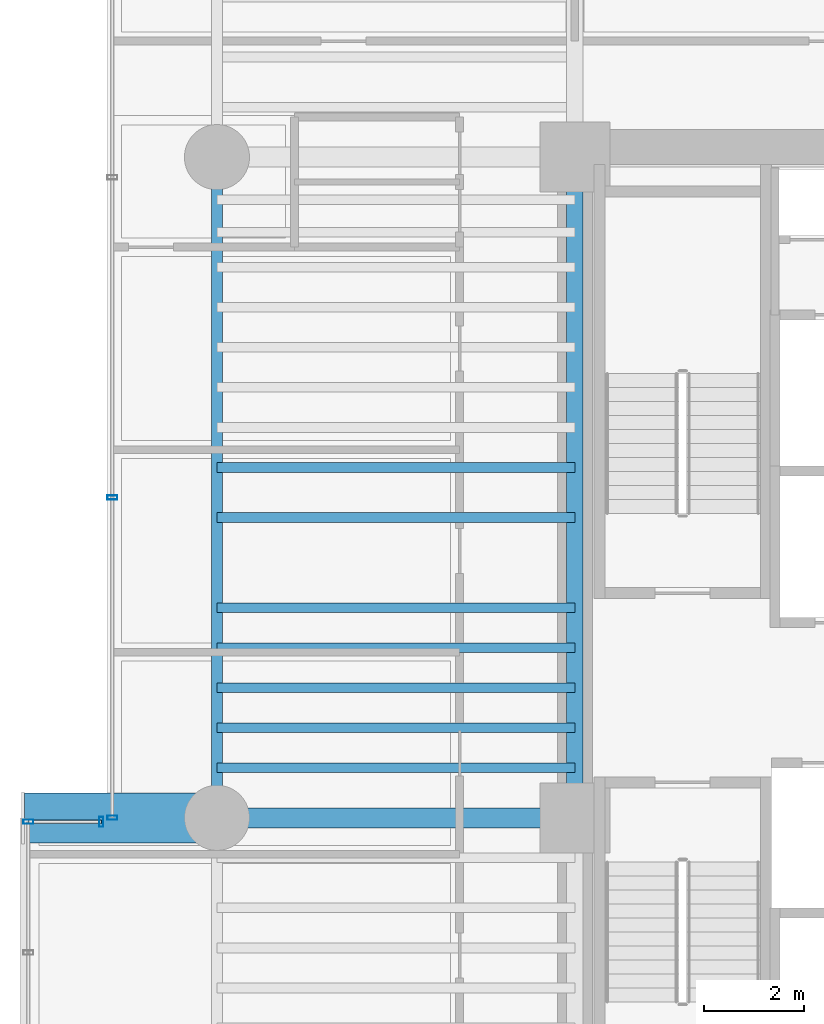
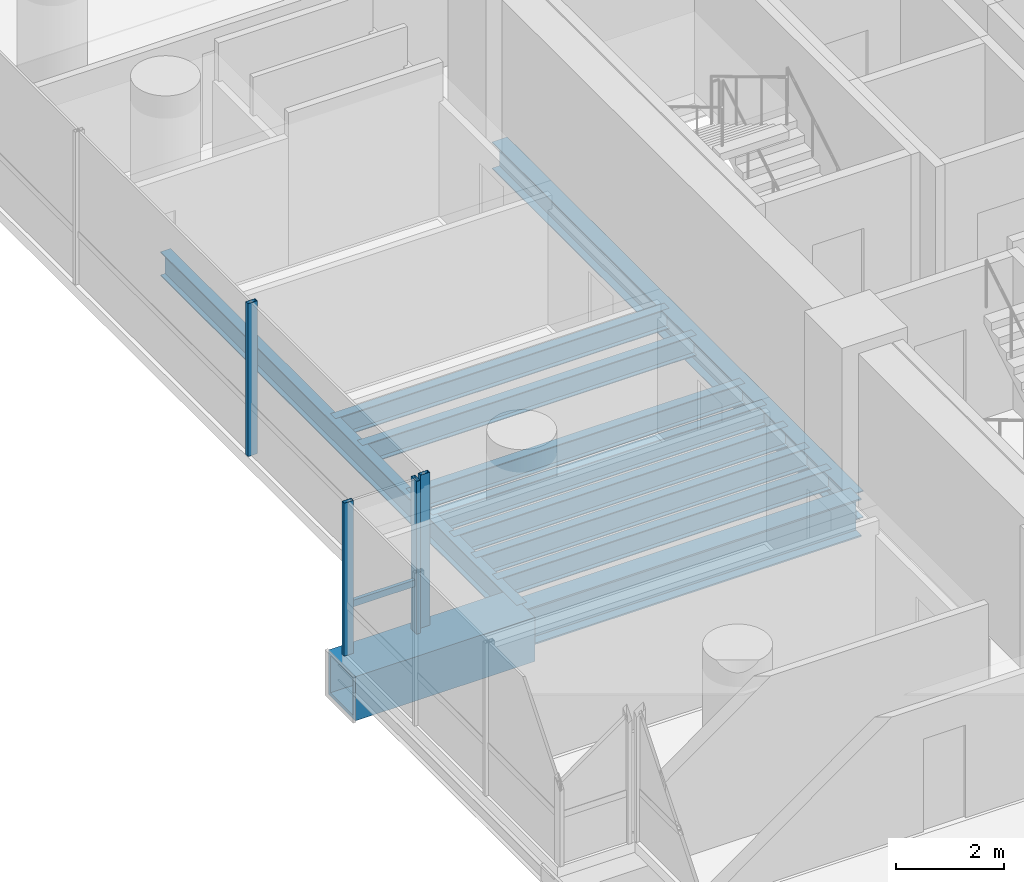
# One storey, part 8 of 39: 11 beams, 5 members, 3 elements without a shape of their own.
"""IFC4 building model written with IfcOpenShell, lengths in metres."""

from ifc_helpers import new_model, si_unit, direction, frame, origin, origin_2d, place, context, subcontext, project, spatial, hollow_rectangle, i_section, extrude, source, transform, mapped, material, material_profile, profile_set, type_object, element, aggregate, save


model = new_model("IFC4")

# Units and contexts
model_context = context("Model", 3, precision=1e-05, world=origin(), true_north=direction((0.0, 1.0)))
body_context = subcontext(model_context, "Body", "Model", "MODEL_VIEW")
ifc_project = project(units=[si_unit("LENGTHUNIT", "METRE"), si_unit("AREAUNIT", "SQUARE_METRE"), si_unit("VOLUMEUNIT", "CUBIC_METRE"), si_unit("PLANEANGLEUNIT", "RADIAN"), si_unit("MASSUNIT", "GRAM", prefix="KILO")], contexts=[model_context])

# Site, building, storey
site_placement = place(None, origin())
site = spatial("IfcSite", under=ifc_project, at=site_placement, CompositionType="ELEMENT")
building_placement = place(site_placement, origin())
building = spatial("IfcBuilding", under=site, at=building_placement, Name="Valdorenza Pilgrim Sanctuary Tower", CompositionType="ELEMENT")
storey_placement = place(building_placement, frame((0.0, 0.0, 33.39990234375)))
storey = spatial("IfcBuildingStorey", under=building, at=storey_placement, Name="L07", CompositionType="ELEMENT", Elevation=33.39990234375)

# Beams
ifc_material_1 = material(Name="Steel ASTM A992 Grade 50", Category="steel")
ifc_material_profile_1 = material_profile(ifc_material_1, i_section(OverallWidth=0.214111328125, OverallDepth=0.549072265625, WebThickness=0.0146484375, FlangeThickness=0.023681640625, at=origin_2d()), Name="W21X93")
ifc_profile_set_1 = profile_set([ifc_material_profile_1], Name="Steel ASTM A992 Grade 50")
beam_type_1 = type_object("IfcBeamType", Name="STR-BM-SPN-W21A", PredefinedType="SPANDREL", material=ifc_profile_set_1)
shared_shape_1 = source(origin(), body_context, "Body", "SweptSolid", [
    extrude(i_section(OverallWidth=0.214111328125, OverallDepth=0.549072265625, WebThickness=0.0146484375, FlangeThickness=0.023681640625, at=origin_2d()), origin(), (0.0, 0.0, 1.0), 13.2001953125),
])
beam_1_placement = place(storey_placement, frame((-29.800048828125, -2.60009765625, -0.514404296875), z_axis=(0.0, 1.0, 0.0), x_axis=(-1.0, 0.0, 0.0)))
element("IfcBeam", 1, at=beam_1_placement, inside=storey, type_object=beam_type_1, Name="L07 Spandrel Beam WA-W-M0N1", PredefinedType="SPANDREL", context=body_context, shape_type="MappedRepresentation", body=[
    mapped(shared_shape_1, transform((0.0, 0.0, 0.0), x_axis=(1.0, 0.0, 0.0), y_axis=(0.0, 1.0, 0.0), z_axis=(0.0, 0.0, 1.0), scale=1.0)),
])
ifc_material_profile_2 = material_profile(ifc_material_1, i_section(OverallWidth=0.323974609375, OverallDepth=0.611083984375, WebThickness=0.0126953125, FlangeThickness=0.01904296875, at=origin_2d()), Name="W24X104")
ifc_profile_set_2 = profile_set([ifc_material_profile_2], Name="Steel ASTM A992 Grade 50")
beam_type_2 = type_object("IfcBeamType", Name="STR-BM-GRD-W24B", PredefinedType="BEAM", material=ifc_profile_set_2)
shared_shape_2 = source(origin(), body_context, "Body", "SweptSolid", [
    extrude(i_section(OverallWidth=0.323974609375, OverallDepth=0.611083984375, WebThickness=0.0126953125, FlangeThickness=0.01904296875, at=origin_2d()), origin(), (0.0, 0.0, 1.0), 13.2001953125),
])
beam_2_placement = place(storey_placement, frame((-22.64990234375, -2.60009765625, -0.54541015625), z_axis=(0.0, 1.0, 0.0), x_axis=(-1.0, 0.0, 0.0)))
element("IfcBeam", 2, at=beam_2_placement, inside=storey, type_object=beam_type_2, Name="L07 Core Tie Girder CA-W-M0N1", PredefinedType="BEAM", context=body_context, shape_type="MappedRepresentation", body=[
    mapped(shared_shape_2, transform((0.0, 0.0, 0.0), x_axis=(1.0, 0.0, 0.0), y_axis=(0.0, 1.0, 0.0), z_axis=(0.0, 0.0, 1.0), scale=1.0)),
])
ifc_material_profile_3 = material_profile(ifc_material_1, i_section(OverallWidth=0.193115234375, OverallDepth=0.466064453125, WebThickness=0.011474609375, FlangeThickness=0.01904296875, at=origin_2d()), Name="W18X65")
ifc_profile_set_3 = profile_set([ifc_material_profile_3], Name="Steel ASTM A992 Grade 50")
beam_type_3 = type_object("IfcBeamType", Name="STR-BM-JST-W18A", PredefinedType="JOIST", material=ifc_profile_set_3)
shared_shape_3 = source(origin(), body_context, "Body", "SweptSolid", [
    extrude(i_section(OverallWidth=0.193115234375, OverallDepth=0.466064453125, WebThickness=0.011474609375, FlangeThickness=0.01904296875, at=origin_2d()), origin(), (0.0, 0.0, 1.0), 7.150146484375),
])
for number, where, z_axis, x_axis, name in (
    (3, (-29.800048828125, -1.60009765625, -0.472900390625), (1.0, 0.0, 0.0), (0.0, 1.0, 0.0), "L07 Composite Floor Joist JST-WA-10"),
    (4, (-29.800048828125, -0.800048828125, -0.472900390625), (1.0, 0.0, 0.0), (0.0, 1.0, 0.0), "L07 Composite Floor Joist JST-WA-11"),
    (5, (-29.800048828125, 0.0, -0.472900390625), (1.0, 0.0, 0.0), (0.0, 1.0, 0.0), "L07 Composite Floor Joist JST-WA-12"),
    (6, (-29.800048828125, 0.800048828125, -0.472900390625), (1.0, 0.0, 0.0), (0.0, 1.0, 0.0), "L07 Composite Floor Joist JST-WA-13"),
    (7, (-29.800048828125, 1.60009765625, -0.472900390625), (1.0, 0.0, 0.0), (0.0, 1.0, 0.0), "L07 Composite Floor Joist JST-WA-14"),
    (8, (-29.800048828125, 3.39990234375, -0.472900390625), (1.0, 0.0, 0.0), (0.0, 1.0, 0.0), "L07 Composite Floor Joist JST-WA-15"),
    (9, (-29.800048828125, 4.39990234375, -0.472900390625), (1.0, 0.0, 0.0), (0.0, 1.0, 0.0), "L07 Composite Floor Joist JST-WA-16"),
):
    element("IfcBeam", number, at=place(storey_placement, frame(where, z_axis=z_axis, x_axis=x_axis)), inside=storey, type_object=beam_type_3, Name=name, PredefinedType="JOIST", context=body_context, shape_type="MappedRepresentation", body=[
        mapped(shared_shape_3, transform((0.0, 0.0, 0.0), x_axis=(1.0, 0.0, 0.0), y_axis=(0.0, 1.0, 0.0), z_axis=(0.0, 0.0, 1.0), scale=1.0)),
    ])
ifc_material_2 = material(Name="Steel ASTM A572 Grade 42", Category="steel")
ifc_material_profile_4 = material_profile(ifc_material_2, hollow_rectangle(XDim=1.0, YDim=1.0, WallThickness=0.080078125, at=origin_2d()), Name="BOX 1000x1000x80")
ifc_profile_set_4 = profile_set([ifc_material_profile_4], Name="Steel ASTM A572 Grade 42")
beam_type_4 = type_object("IfcBeamType", Name="STR-BM-PROW-CANT", PredefinedType="BEAM", material=ifc_profile_set_4)
shared_shape_4 = source(origin(), body_context, "Body", "SweptSolid", [
    extrude(hollow_rectangle(XDim=1.0, YDim=1.0, WallThickness=0.080078125, at=origin_2d()), origin(), (0.0, 0.0, 1.0), 3.849853515625),
])
beam_3_placement = place(storey_placement, frame((-29.800048828125, -2.60009765625, -0.739990234375), z_axis=(-1.0, 0.0, 0.0), x_axis=(0.0, -1.0, 0.0)))
element("IfcBeam", 10, at=beam_3_placement, inside=storey, type_object=beam_type_4, Name="L07 Glass Box Cantilever Beam BOX-WA-L07-CT-N", PredefinedType="BEAM", context=body_context, shape_type="MappedRepresentation", body=[
    mapped(shared_shape_4, transform((0.0, 0.0, 0.0), x_axis=(1.0, 0.0, 0.0), y_axis=(0.0, 1.0, 0.0), z_axis=(0.0, 0.0, 1.0), scale=1.0)),
])
ifc_material_profile_5 = material_profile(ifc_material_1, i_section(OverallWidth=0.39990234375, OverallDepth=0.862060546875, WebThickness=0.019775390625, FlangeThickness=0.032470703125, at=origin_2d()), Name="W33X221")
ifc_profile_set_5 = profile_set([ifc_material_profile_5], Name="Steel ASTM A992 Grade 50")
beam_type_5 = type_object("IfcBeamType", Name="STR-BM-GRD-W33", PredefinedType="BEAM", material=ifc_profile_set_5)
shared_shape_5 = source(origin(), body_context, "Body", "SweptSolid", [
    extrude(i_section(OverallWidth=0.39990234375, OverallDepth=0.862060546875, WebThickness=0.019775390625, FlangeThickness=0.032470703125, at=origin_2d()), origin(), (0.0, 0.0, 1.0), 7.150146484375),
])
beam_4_placement = place(storey_placement, frame((-29.800048828125, -2.60009765625, -0.6708984375), z_axis=(1.0, 0.0, 0.0), x_axis=(0.0, 1.0, 0.0)))
element("IfcBeam", 11, at=beam_4_placement, inside=storey, type_object=beam_type_5, Name="L07 Floor Girder WA-XW-M0", PredefinedType="BEAM", context=body_context, shape_type="MappedRepresentation", body=[
    mapped(shared_shape_5, transform((0.0, 0.0, 0.0), x_axis=(1.0, 0.0, 0.0), y_axis=(0.0, 1.0, 0.0), z_axis=(0.0, 0.0, 1.0), scale=1.0)),
])

# Curtain wall, member
ifc_material_3 = material(Name="Curtain-wall IGU glazing", Category="glass")
curtain_wall_type = type_object("IfcCurtainWallType", Name="CW-SYS-02", PredefinedType="NOTDEFINED", material=ifc_material_3)
curtain_wall_1_placement = place(storey_placement, origin())
curtain_wall_1 = element("IfcCurtainWall", 12, at=curtain_wall_1_placement, inside=storey, type_object=curtain_wall_type, Name="L07 Curtain Wall CW-L07-BOX-WA-L07-N", PredefinedType="NOTDEFINED")
ifc_material_4 = material(Name="Anodised aluminium AW-6060", Category="aluminium")
ifc_material_profile_6 = material_profile(ifc_material_4, hollow_rectangle(XDim=0.074951171875, YDim=0.14990234375, WallThickness=0.00390625, at=origin_2d()), Name="ALU-T 150x75x4")
ifc_profile_set_6 = profile_set([ifc_material_profile_6], Name="Anodised aluminium AW-6060")
member_type_1 = type_object("IfcMemberType", Name="CW-TRN-02", PredefinedType="USERDEFINED", material=ifc_profile_set_6)
shared_shape_6 = source(origin(), body_context, "Body", "SweptSolid", [
    extrude(hollow_rectangle(XDim=0.074951171875, YDim=0.14990234375, WallThickness=0.00390625, at=origin_2d()), origin(), (0.0, 0.0, 1.0), 1.4599609375),
])
member_1_placement = place(storey_placement, frame((-33.570068359375, -2.679931640625, 1.1201171875), z_axis=(1.0, 0.0, 0.0), x_axis=(0.0, 1.0, 0.0)))
member_1 = element("IfcMember", 13, at=member_1_placement, type_object=member_type_1, Name="CW-L07-BOX-WA-L07-N Transom 1", ObjectType="TRANSOM", PredefinedType="USERDEFINED", context=body_context, shape_type="MappedRepresentation", body=[
    mapped(shared_shape_6, transform((0.0, 0.0, 0.0), x_axis=(1.0, 0.0, 0.0), y_axis=(0.0, 1.0, 0.0), z_axis=(0.0, 0.0, 1.0), scale=1.0)),
])

# Curtain wall, members
curtain_wall_2_placement = place(storey_placement, origin())
curtain_wall_2 = element("IfcCurtainWall", 14, at=curtain_wall_2_placement, inside=storey, type_object=curtain_wall_type, Name="L07 Curtain Wall CW-L07-1-1S2", PredefinedType="NOTDEFINED")
ifc_material_profile_7 = material_profile(ifc_material_4, hollow_rectangle(XDim=0.0849609375, YDim=0.199951171875, WallThickness=0.0048828125, at=origin_2d()), Name="ALU-M 200x85x5")
ifc_profile_set_7 = profile_set([ifc_material_profile_7], Name="Anodised aluminium AW-6060")
member_type_2 = type_object("IfcMemberType", Name="CW-MUL-02", PredefinedType="MULLION", material=ifc_profile_set_7)
shared_shape_7 = source(origin(), body_context, "Body", "SweptSolid", [
    extrude(hollow_rectangle(XDim=0.0849609375, YDim=0.199951171875, WallThickness=0.0048828125, at=origin_2d()), origin(), (0.0, 0.0, 1.0), 3.460205078125),
])
member_2_placement = place(storey_placement, frame((-31.889892578125, -2.60009765625, 0.0), z_axis=(0.0, 0.0, 1.0), x_axis=(0.0, 1.0, 0.0)))
member_2 = element("IfcMember", 15, at=member_2_placement, type_object=member_type_2, Name="CW-L07-1-1S2 Mullion 1", PredefinedType="MULLION", context=body_context, shape_type="MappedRepresentation", body=[
    mapped(shared_shape_7, transform((0.0, 0.0, 0.0), x_axis=(1.0, 0.0, 0.0), y_axis=(0.0, 1.0, 0.0), z_axis=(0.0, 0.0, 1.0), scale=1.0)),
])
member_3_placement = place(storey_placement, frame((-31.889892578125, 3.798095703125, 0.0), z_axis=(0.0, 0.0, 1.0), x_axis=(0.0, 1.0, 0.0)))
member_3 = element("IfcMember", 16, at=member_3_placement, type_object=member_type_2, Name="CW-L07-1-1S2 Mullion 2", PredefinedType="MULLION", context=body_context, shape_type="MappedRepresentation", body=[
    mapped(shared_shape_7, transform((0.0, 0.0, 0.0), x_axis=(1.0, 0.0, 0.0), y_axis=(0.0, 1.0, 0.0), z_axis=(0.0, 0.0, 1.0), scale=1.0)),
])
aggregate(curtain_wall_2, [member_2, member_3])

# Curtain wall, member
curtain_wall_3_placement = place(storey_placement, origin())
curtain_wall_3 = element("IfcCurtainWall", 17, at=curtain_wall_3_placement, inside=storey, type_object=curtain_wall_type, Name="L07 Curtain Wall CW-L07-BOX-WA-L07-F", PredefinedType="NOTDEFINED")
member_4_placement = place(storey_placement, frame((-33.570068359375, -2.679931640625, 0.0), z_axis=(0.0, 0.0, 1.0), x_axis=(0.0, 1.0, 0.0)))
member_4 = element("IfcMember", 18, at=member_4_placement, type_object=member_type_2, Name="CW-L07-BOX-WA-L07-F Mullion 4", PredefinedType="MULLION", context=body_context, shape_type="MappedRepresentation", body=[
    mapped(shared_shape_7, transform((0.0, 0.0, 0.0), x_axis=(1.0, 0.0, 0.0), y_axis=(0.0, 1.0, 0.0), z_axis=(0.0, 0.0, 1.0), scale=1.0)),
])
aggregate(curtain_wall_3, [member_4])

# Member
member_5_placement = place(storey_placement, frame((-32.110107421875, -2.679931640625, 0.0), z_axis=(0.0, 0.0, 1.0), x_axis=(1.0, 0.0, 0.0)))
member_5 = element("IfcMember", 19, at=member_5_placement, type_object=member_type_2, Name="CW-L07-BOX-WA-L07-N Mullion 2", PredefinedType="MULLION", context=body_context, shape_type="MappedRepresentation", body=[
    mapped(shared_shape_7, transform((0.0, 0.0, 0.0), x_axis=(1.0, 0.0, 0.0), y_axis=(0.0, 1.0, 0.0), z_axis=(0.0, 0.0, 1.0), scale=1.0)),
])

aggregate(curtain_wall_1, [member_5, member_1])

save(model, "model.ifc")
